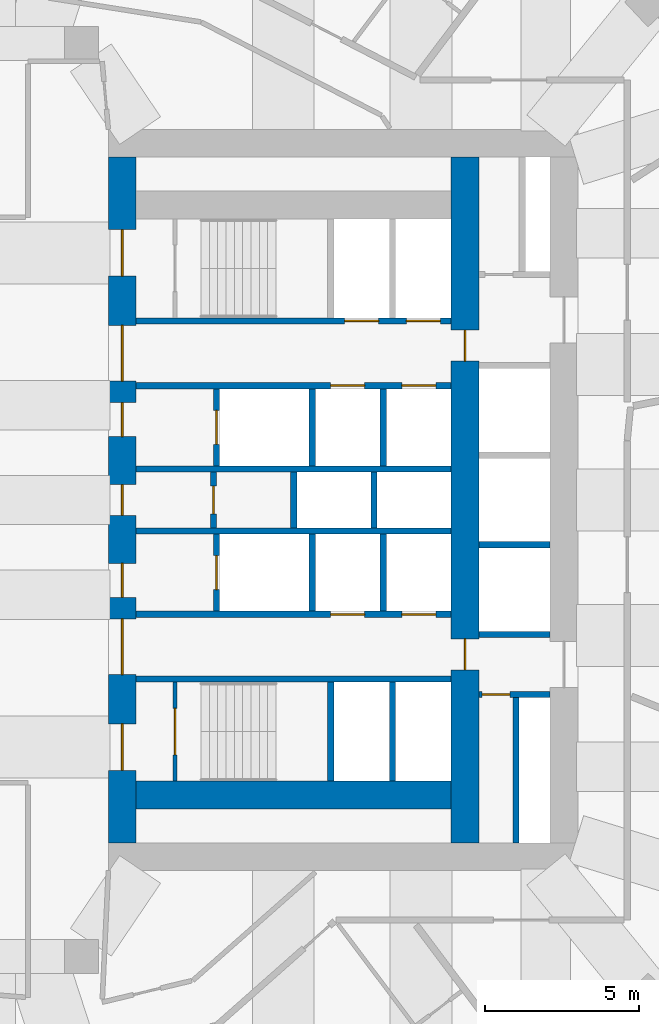
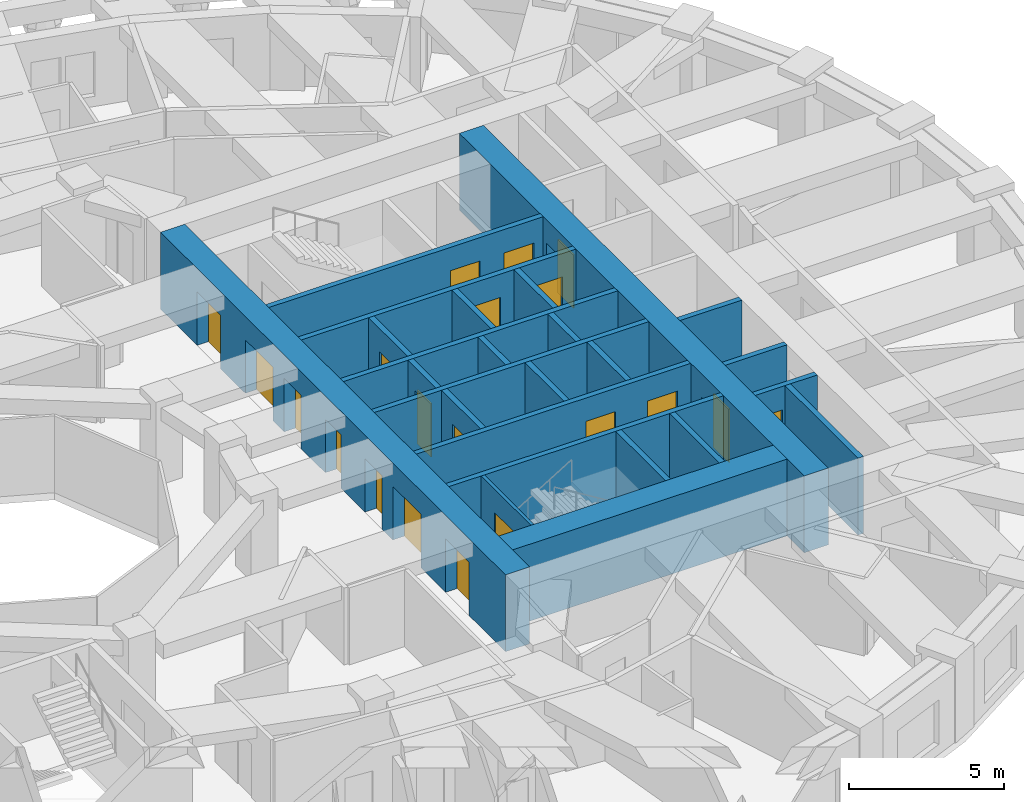
# One storey, part 6 of 13: 25 walls, 20 doors, 20 openings.
"""IFC4 building model written with IfcOpenShell, lengths in metres."""

from ifc_helpers import new_model, si_unit, direction, frame, frame_2d, origin, place, context, subcontext, project, spatial, rectangle, extrude, material, layer, layer_set, type_object, element, fill, save


model = new_model("IFC4")

# Units and contexts
model_context = context("Model", 3, precision=1e-05, world=origin(), true_north=direction((0.0, 1.0)))
body_context = subcontext(model_context, "Body", "Model", "MODEL_VIEW")
ifc_project = project(units=[si_unit("LENGTHUNIT", "METRE"), si_unit("AREAUNIT", "SQUARE_METRE"), si_unit("VOLUMEUNIT", "CUBIC_METRE"), si_unit("PLANEANGLEUNIT", "RADIAN"), si_unit("MASSUNIT", "GRAM", prefix="KILO")], contexts=[model_context])

# Site, building, storey
site_placement = place(None, origin())
site = spatial("IfcSite", under=ifc_project, at=site_placement, CompositionType="ELEMENT")
building_placement = place(site_placement, origin())
building = spatial("IfcBuilding", under=site, at=building_placement, Name="Taillehof Tower", CompositionType="ELEMENT")
storey_placement = place(building_placement, frame((0.0, 0.0, 61.300048828125)))
storey = spatial("IfcBuildingStorey", under=building, at=storey_placement, Name="L16", CompositionType="ELEMENT", Elevation=61.300048828125)

# Wall, opening, door
ifc_material_1 = material(Name="Calcium silicate masonry", Category="masonry")
ifc_layer_1 = layer(ifc_material_1, 0.199951171875)
ifc_layer_set_1 = layer_set([ifc_layer_1], Name="Compartment wall calcium silicate 200")
wall_type_1 = type_object("IfcWallType", Name="Compartment wall calcium silicate 200", PredefinedType="PARTITIONING", material=ifc_layer_set_1)
wall_1_placement = place(storey_placement, frame((7.39990234375, -0.89990234375, 0.0), z_axis=(0.0, 0.0, 1.0), x_axis=(0.0, 1.0, 0.0)))
wall_1 = element("IfcWall", 1, at=wall_1_placement, inside=storey, type_object=wall_type_1, Name="Compartment wall FW", PredefinedType="PARTITIONING", context=body_context, shape_type="SweptSolid", body=[
    extrude(rectangle(XDim=1.7998046875, YDim=0.199951171875, at=frame_2d((0.89990234375, 0.0))), origin(), (0.0, 0.0, 1.0), 3.02001953125),
])
opening_1_placement = place(wall_1_placement, frame((0.449951171875, 0.0, 0.0)))
opening_1 = element("IfcOpeningElement", 2, at=opening_1_placement, cuts=wall_1, Name="Opening D1614", PredefinedType="OPENING", context=body_context, shape_type="SweptSolid", body=[
    extrude(rectangle(XDim=0.89990234375, YDim=2.10009765625, at=frame_2d((0.449951171875, 1.050048828125))), frame((0.0, 0.10986328125, 0.0), z_axis=(0.0, -1.0, 0.0), x_axis=(1.0, 0.0, 0.0)), (0.0, 0.0, 1.0), 0.219970703125),
])
ifc_material_2 = material(Name="Steel-faced fire door", Category="steel")
door_type_1 = type_object("IfcDoorType", Name="Riser and service room door 900x2100", OperationType="SINGLE_SWING_LEFT", PredefinedType="DOOR", material=ifc_material_2)
door_1_placement = place(opening_1_placement, origin())
door_1 = element("IfcDoor", 3, at=door_1_placement, inside=storey, type_object=door_type_1, Name="Door Electrical Room", OperationType="SINGLE_SWING_RIGHT", OverallHeight=2.10009765625, OverallWidth=0.89990234375, PredefinedType="DOOR", context=body_context, shape_type="SweptSolid", body=[
    extrude(rectangle(XDim=0.89990234375, YDim=2.10009765625, at=frame_2d((0.449951171875, 1.050048828125))), frame((0.0, 0.02490234375, 0.0), z_axis=(0.0, -1.0, 0.0), x_axis=(1.0, 0.0, 0.0)), (0.0, 0.0, 1.0), 0.050048828125),
])
fill(opening_1, door_1)

# Walls
for number, where, z_axis, x_axis, name in (
    (4, (10.0, -0.89990234375, 0.0), (0.0, 0.0, 1.0), (0.0, 1.0, 0.0), "Compartment wall FW"),
    (5, (12.60009765625, -0.89990234375, 0.0), (0.0, 0.0, 1.0), (0.0, 1.0, 0.0), "Compartment wall FW"),
):
    element("IfcWall", number, at=place(storey_placement, frame(where, z_axis=z_axis, x_axis=x_axis)), inside=storey, type_object=wall_type_1, Name=name, PredefinedType="PARTITIONING", context=body_context, shape_type="SweptSolid", body=[
        extrude(rectangle(XDim=1.7998046875, YDim=0.199951171875, at=frame_2d((0.89990234375, 0.0))), origin(), (0.0, 0.0, 1.0), 3.02001953125),
    ])

# Wall, opening, door
wall_2_placement = place(storey_placement, frame((16.0, -6.300048828125, 0.0), z_axis=(0.0, 0.0, 1.0), x_axis=(1.0, 0.0, 0.0)))
wall_2 = element("IfcWall", 6, at=wall_2_placement, inside=storey, type_object=wall_type_1, Name="Compartment wall FW", PredefinedType="PARTITIONING", context=body_context, shape_type="SweptSolid", body=[
    extrude(rectangle(XDim=2.300048828125, YDim=0.199951171875, at=frame_2d((1.14990234375, 0.0))), origin(), (0.0, 0.0, 1.0), 3.02001953125),
])
opening_2_placement = place(wall_2_placement, frame((0.10009765625, 0.0, 0.0)))
opening_2 = element("IfcOpeningElement", 7, at=opening_2_placement, cuts=wall_2, Name="Opening D1618", PredefinedType="OPENING", context=body_context, shape_type="SweptSolid", body=[
    extrude(rectangle(XDim=0.89990234375, YDim=2.10009765625, at=frame_2d((0.449951171875, 1.050048828125))), frame((0.0, 0.10986328125, 0.0), z_axis=(0.0, -1.0, 0.0), x_axis=(1.0, 0.0, 0.0)), (0.0, 0.0, 1.0), 0.219970703125),
])
door_2_placement = place(opening_2_placement, origin())
door_2 = element("IfcDoor", 8, at=door_2_placement, inside=storey, type_object=door_type_1, Name="Door Electrical Room", OperationType="SINGLE_SWING_LEFT", OverallHeight=2.10009765625, OverallWidth=0.89990234375, PredefinedType="DOOR", context=body_context, shape_type="SweptSolid", body=[
    extrude(rectangle(XDim=0.89990234375, YDim=2.10009765625, at=frame_2d((0.449951171875, 1.050048828125))), frame((0.0, 0.02490234375, 0.0), z_axis=(0.0, -1.0, 0.0), x_axis=(1.0, 0.0, 0.0)), (0.0, 0.0, 1.0), 0.050048828125),
])
fill(opening_2, door_2)

# Wall
wall_3_placement = place(storey_placement, frame((17.199951171875, -11.10009765625, 0.0), z_axis=(0.0, 0.0, 1.0), x_axis=(0.0, 1.0, 0.0)))
element("IfcWall", 9, at=wall_3_placement, inside=storey, type_object=wall_type_1, Name="Compartment wall FW", PredefinedType="PARTITIONING", context=body_context, shape_type="SweptSolid", body=[
    extrude(rectangle(XDim=4.7001953125, YDim=0.199951171875, at=frame_2d((2.35009765625, 0.0))), origin(), (0.0, 0.0, 1.0), 3.02001953125),
])

# Wall, openings, doors
ifc_material_3 = material(Name="Concrete C80/95", Category="concrete")
ifc_layer_2 = layer(ifc_material_3, 0.89990234375)
ifc_layer_set_2 = layer_set([ifc_layer_2], Name="Core wall C80/95 900")
wall_type_2 = type_object("IfcWallType", Name="Core wall C80/95 900", PredefinedType="SHEAR", material=ifc_layer_set_2)
wall_4_placement = place(storey_placement, frame((4.449951171875, -11.10009765625, 0.0), z_axis=(0.0, 0.0, 1.0), x_axis=(0.0, 1.0, 0.0)))
wall_4 = element("IfcWall", 10, at=wall_4_placement, inside=storey, type_object=wall_type_2, Name="Core wall CW01", PredefinedType="SHEAR", context=body_context, shape_type="SweptSolid", body=[
    extrude(rectangle(XDim=22.2001953125, YDim=0.89990234375, at=frame_2d((11.10009765625, 0.0))), origin(), (0.0, 0.0, 1.0), 3.02001953125),
])
opening_3_placement = place(wall_4_placement, frame((2.35009765625, 0.0, 0.0)))
opening_3 = element("IfcOpeningElement", 11, at=opening_3_placement, cuts=wall_4, Name="Opening D1601", PredefinedType="OPENING", context=body_context, shape_type="SweptSolid", body=[
    extrude(rectangle(XDim=1.5, YDim=2.10009765625, at=frame_2d((0.75, 1.050048828125))), frame((0.0, 0.4599609375, 0.0), z_axis=(0.0, -1.0, 0.0), x_axis=(1.0, 0.0, 0.0)), (0.0, 0.0, 1.0), 0.919921875),
])
opening_4_placement = place(wall_4_placement, frame((5.449951171875, 0.0, 0.0)))
opening_4 = element("IfcOpeningElement", 12, at=opening_4_placement, cuts=wall_4, Name="Opening D1602", PredefinedType="OPENING", context=body_context, shape_type="SweptSolid", body=[
    extrude(rectangle(XDim=1.800048828125, YDim=2.10009765625, at=frame_2d((0.89990234375, 1.050048828125))), frame((0.0, 0.4599609375, 0.0), z_axis=(0.0, -1.0, 0.0), x_axis=(1.0, 0.0, 0.0)), (0.0, 0.0, 1.0), 0.919921875),
])
opening_5_placement = place(wall_4_placement, frame((7.949951171875, 0.0, 0.0)))
opening_5 = element("IfcOpeningElement", 13, at=opening_5_placement, cuts=wall_4, Name="Opening D1603", PredefinedType="OPENING", context=body_context, shape_type="SweptSolid", body=[
    extrude(rectangle(XDim=1.10009765625, YDim=2.10009765625, at=frame_2d((0.550048828125, 1.050048828125))), frame((0.0, 0.4599609375, 0.0), z_axis=(0.0, -1.0, 0.0), x_axis=(1.0, 0.0, 0.0)), (0.0, 0.0, 1.0), 0.919921875),
])
opening_6_placement = place(wall_4_placement, frame((10.60009765625, 0.0, 0.0)))
opening_6 = element("IfcOpeningElement", 14, at=opening_6_placement, cuts=wall_4, Name="Opening D1604", PredefinedType="OPENING", context=body_context, shape_type="SweptSolid", body=[
    extrude(rectangle(XDim=1.0, YDim=2.10009765625, at=frame_2d((0.5, 1.050048828125))), frame((0.0, 0.4599609375, 0.0), z_axis=(0.0, -1.0, 0.0), x_axis=(1.0, 0.0, 0.0)), (0.0, 0.0, 1.0), 0.919921875),
])
opening_7_placement = place(wall_4_placement, frame((13.14990234375, 0.0, 0.0)))
opening_7 = element("IfcOpeningElement", 15, at=opening_7_placement, cuts=wall_4, Name="Opening D1605", PredefinedType="OPENING", context=body_context, shape_type="SweptSolid", body=[
    extrude(rectangle(XDim=1.10009765625, YDim=2.10009765625, at=frame_2d((0.550048828125, 1.050048828125))), frame((0.0, 0.4599609375, 0.0), z_axis=(0.0, -1.0, 0.0), x_axis=(1.0, 0.0, 0.0)), (0.0, 0.0, 1.0), 0.919921875),
])
opening_8_placement = place(wall_4_placement, frame((14.949951171875, 0.0, 0.0)))
opening_8 = element("IfcOpeningElement", 16, at=opening_8_placement, cuts=wall_4, Name="Opening D1606", PredefinedType="OPENING", context=body_context, shape_type="SweptSolid", body=[
    extrude(rectangle(XDim=1.800048828125, YDim=2.10009765625, at=frame_2d((0.89990234375, 1.050048828125))), frame((0.0, 0.4599609375, 0.0), z_axis=(0.0, -1.0, 0.0), x_axis=(1.0, 0.0, 0.0)), (0.0, 0.0, 1.0), 0.919921875),
])
opening_9_placement = place(wall_4_placement, frame((18.35009765625, 0.0, 0.0)))
opening_9 = element("IfcOpeningElement", 17, at=opening_9_placement, cuts=wall_4, Name="Opening D1607", PredefinedType="OPENING", context=body_context, shape_type="SweptSolid", body=[
    extrude(rectangle(XDim=1.5, YDim=2.10009765625, at=frame_2d((0.75, 1.050048828125))), frame((0.0, 0.4599609375, 0.0), z_axis=(0.0, -1.0, 0.0), x_axis=(1.0, 0.0, 0.0)), (0.0, 0.0, 1.0), 0.919921875),
])
ifc_material_4 = material(Name="Steel-faced fire door", Category="steel")
door_type_2 = type_object("IfcDoorType", Name="Firefighting lobby door 1100x2100", OperationType="SINGLE_SWING_RIGHT", PredefinedType="DOOR", material=ifc_material_4)
door_3_placement = place(opening_5_placement, origin())
door_3 = element("IfcDoor", 18, at=door_3_placement, inside=storey, type_object=door_type_2, Name="Firefighting lobby door FFL-S", OperationType="SINGLE_SWING_RIGHT", OverallHeight=2.10009765625, OverallWidth=1.10009765625, PredefinedType="DOOR", context=body_context, shape_type="SweptSolid", body=[
    extrude(rectangle(XDim=1.10009765625, YDim=2.10009765625, at=frame_2d((0.550048828125, 1.050048828125))), frame((0.0, 0.02490234375, 0.0), z_axis=(0.0, -1.0, 0.0), x_axis=(1.0, 0.0, 0.0)), (0.0, 0.0, 1.0), 0.050048828125),
])
fill(opening_5, door_3)
door_4_placement = place(opening_7_placement, origin())
door_4 = element("IfcDoor", 19, at=door_4_placement, inside=storey, type_object=door_type_2, Name="Firefighting lobby door FFL-N", OperationType="SINGLE_SWING_LEFT", OverallHeight=2.10009765625, OverallWidth=1.10009765625, PredefinedType="DOOR", context=body_context, shape_type="SweptSolid", body=[
    extrude(rectangle(XDim=1.10009765625, YDim=2.10009765625, at=frame_2d((0.550048828125, 1.050048828125))), frame((0.0, 0.02490234375, 0.0), z_axis=(0.0, -1.0, 0.0), x_axis=(1.0, 0.0, 0.0)), (0.0, 0.0, 1.0), 0.050048828125),
])
fill(opening_7, door_4)
ifc_material_5 = material(Name="Steel-faced fire door", Category="steel")
door_type_3 = type_object("IfcDoorType", Name="Lift lobby door 1800x2100", OperationType="DOUBLE_DOOR_SINGLE_SWING", PredefinedType="DOOR", material=ifc_material_5)
door_5_placement = place(opening_4_placement, origin())
door_5 = element("IfcDoor", 20, at=door_5_placement, inside=storey, type_object=door_type_3, Name="Lift lobby door LL-S", OperationType="DOUBLE_DOOR_SINGLE_SWING", OverallHeight=2.10009765625, OverallWidth=1.800048828125, PredefinedType="DOOR", context=body_context, shape_type="SweptSolid", body=[
    extrude(rectangle(XDim=1.800048828125, YDim=2.10009765625, at=frame_2d((0.89990234375, 1.050048828125))), frame((0.0, 0.02490234375, 0.0), z_axis=(0.0, -1.0, 0.0), x_axis=(1.0, 0.0, 0.0)), (0.0, 0.0, 1.0), 0.050048828125),
])
fill(opening_4, door_5)
door_6_placement = place(opening_8_placement, origin())
door_6 = element("IfcDoor", 21, at=door_6_placement, inside=storey, type_object=door_type_3, Name="Lift lobby door LL-N", OperationType="DOUBLE_DOOR_SINGLE_SWING", OverallHeight=2.10009765625, OverallWidth=1.800048828125, PredefinedType="DOOR", context=body_context, shape_type="SweptSolid", body=[
    extrude(rectangle(XDim=1.800048828125, YDim=2.10009765625, at=frame_2d((0.89990234375, 1.050048828125))), frame((0.0, 0.02490234375, 0.0), z_axis=(0.0, -1.0, 0.0), x_axis=(1.0, 0.0, 0.0)), (0.0, 0.0, 1.0), 0.050048828125),
])
fill(opening_8, door_6)
ifc_material_6 = material(Name="Steel-faced fire door", Category="steel")
door_type_4 = type_object("IfcDoorType", Name="Service door 1000x2100", OperationType="SINGLE_SWING_RIGHT", PredefinedType="DOOR", material=ifc_material_6)
door_7_placement = place(opening_6_placement, origin())
door_7 = element("IfcDoor", 22, at=door_7_placement, inside=storey, type_object=door_type_4, Name="Service door SV", OperationType="SINGLE_SWING_LEFT", OverallHeight=2.10009765625, OverallWidth=1.0, PredefinedType="DOOR", context=body_context, shape_type="SweptSolid", body=[
    extrude(rectangle(XDim=1.0, YDim=2.10009765625, at=frame_2d((0.5, 1.050048828125))), frame((0.0, 0.02490234375, 0.0), z_axis=(0.0, -1.0, 0.0), x_axis=(1.0, 0.0, 0.0)), (0.0, 0.0, 1.0), 0.050048828125),
])
fill(opening_6, door_7)
ifc_material_7 = material(Name="Steel-faced fire door", Category="steel")
door_type_5 = type_object("IfcDoorType", Name="Stair door 1500x2100", OperationType="DOUBLE_DOOR_SINGLE_SWING", PredefinedType="DOOR", material=ifc_material_7)
door_8_placement = place(opening_3_placement, origin())
door_8 = element("IfcDoor", 23, at=door_8_placement, inside=storey, type_object=door_type_5, Name="Stair door S2", OperationType="DOUBLE_DOOR_SINGLE_SWING", OverallHeight=2.10009765625, OverallWidth=1.5, PredefinedType="DOOR", context=body_context, shape_type="SweptSolid", body=[
    extrude(rectangle(XDim=1.5, YDim=2.10009765625, at=frame_2d((0.75, 1.050048828125))), frame((0.0, 0.02490234375, 0.0), z_axis=(0.0, -1.0, 0.0), x_axis=(1.0, 0.0, 0.0)), (0.0, 0.0, 1.0), 0.050048828125),
])
fill(opening_3, door_8)
door_9_placement = place(opening_9_placement, origin())
door_9 = element("IfcDoor", 24, at=door_9_placement, inside=storey, type_object=door_type_5, Name="Stair door S1", OperationType="DOUBLE_DOOR_SINGLE_SWING", OverallHeight=2.10009765625, OverallWidth=1.5, PredefinedType="DOOR", context=body_context, shape_type="SweptSolid", body=[
    extrude(rectangle(XDim=1.5, YDim=2.10009765625, at=frame_2d((0.75, 1.050048828125))), frame((0.0, 0.02490234375, 0.0), z_axis=(0.0, -1.0, 0.0), x_axis=(1.0, 0.0, 0.0)), (0.0, 0.0, 1.0), 0.050048828125),
])
fill(opening_9, door_9)

wall_5_placement = place(storey_placement, frame((15.550048828125, -11.10009765625, 0.0), z_axis=(0.0, 0.0, 1.0), x_axis=(0.0, 1.0, 0.0)))
wall_5 = element("IfcWall", 25, at=wall_5_placement, inside=storey, type_object=wall_type_2, Name="Core wall CW05", PredefinedType="SHEAR", context=body_context, shape_type="SweptSolid", body=[
    extrude(rectangle(XDim=22.2001953125, YDim=0.89990234375, at=frame_2d((11.10009765625, 0.0))), origin(), (0.0, 0.0, 1.0), 3.02001953125),
])
opening_10_placement = place(wall_5_placement, frame((15.60009765625, 0.0, 0.0)))
opening_10 = element("IfcOpeningElement", 26, at=opening_10_placement, cuts=wall_5, Name="Opening D1615", PredefinedType="OPENING", context=body_context, shape_type="SweptSolid", body=[
    extrude(rectangle(XDim=1.0, YDim=2.10009765625, at=frame_2d((0.5, 1.050048828125))), frame((0.0, 0.4599609375, 0.0), z_axis=(0.0, -1.0, 0.0), x_axis=(1.0, 0.0, 0.0)), (0.0, 0.0, 1.0), 0.919921875),
])
opening_11_placement = place(wall_5_placement, frame((5.60009765625, 0.0, 0.0)))
opening_11 = element("IfcOpeningElement", 27, at=opening_11_placement, cuts=wall_5, Name="Opening D1617", PredefinedType="OPENING", context=body_context, shape_type="SweptSolid", body=[
    extrude(rectangle(XDim=1.0, YDim=2.10009765625, at=frame_2d((0.5, 1.050048828125))), frame((0.0, 0.4599609375, 0.0), z_axis=(0.0, -1.0, 0.0), x_axis=(1.0, 0.0, 0.0)), (0.0, 0.0, 1.0), 0.919921875),
])
door_10_placement = place(opening_10_placement, origin())
door_10 = element("IfcDoor", 28, at=door_10_placement, inside=storey, type_object=door_type_4, Name="Service door strip", OperationType="SINGLE_SWING_RIGHT", OverallHeight=2.10009765625, OverallWidth=1.0, PredefinedType="DOOR", context=body_context, shape_type="SweptSolid", body=[
    extrude(rectangle(XDim=1.0, YDim=2.10009765625, at=frame_2d((0.5, 1.050048828125))), frame((0.0, 0.02490234375, 0.0), z_axis=(0.0, -1.0, 0.0), x_axis=(1.0, 0.0, 0.0)), (0.0, 0.0, 1.0), 0.050048828125),
])
fill(opening_10, door_10)
door_11_placement = place(opening_11_placement, origin())
door_11 = element("IfcDoor", 29, at=door_11_placement, inside=storey, type_object=door_type_4, Name="Service door strip", OperationType="SINGLE_SWING_LEFT", OverallHeight=2.10009765625, OverallWidth=1.0, PredefinedType="DOOR", context=body_context, shape_type="SweptSolid", body=[
    extrude(rectangle(XDim=1.0, YDim=2.10009765625, at=frame_2d((0.5, 1.050048828125))), frame((0.0, 0.02490234375, 0.0), z_axis=(0.0, -1.0, 0.0), x_axis=(1.0, 0.0, 0.0)), (0.0, 0.0, 1.0), 0.050048828125),
])
fill(opening_11, door_11)

# Wall
wall_6_placement = place(storey_placement, frame((4.89990234375, -9.550048828125, 0.0), z_axis=(0.0, 0.0, 1.0), x_axis=(1.0, 0.0, 0.0)))
element("IfcWall", 30, at=wall_6_placement, inside=storey, type_object=wall_type_2, Name="Core wall CW07", PredefinedType="SHEAR", context=body_context, shape_type="SweptSolid", body=[
    extrude(rectangle(XDim=10.2001953125, YDim=0.89990234375, at=frame_2d((5.10009765625, 0.0))), origin(), (0.0, 0.0, 1.0), 3.02001953125),
])

# Wall, openings, doors
ifc_material_8 = material(Name="Concrete C50/60", Category="concrete")
ifc_layer_3 = layer(ifc_material_8, 0.199951171875)
ifc_layer_set_3 = layer_set([ifc_layer_3], Name="Shaft wall C50/60 200")
wall_type_3 = type_object("IfcWallType", Name="Shaft wall C50/60 200", PredefinedType="SHEAR", material=ifc_layer_set_3)
wall_7_placement = place(storey_placement, frame((4.89990234375, 5.800048828125, 0.0), z_axis=(0.0, 0.0, 1.0), x_axis=(1.0, 0.0, 0.0)))
wall_7 = element("IfcWall", 31, at=wall_7_placement, inside=storey, type_object=wall_type_3, Name="Shaft wall SW", PredefinedType="SHEAR", context=body_context, shape_type="SweptSolid", body=[
    extrude(rectangle(XDim=10.2001953125, YDim=0.199951171875, at=frame_2d((5.10009765625, 0.0))), origin(), (0.0, 0.0, 1.0), 3.02001953125),
])
opening_12_placement = place(wall_7_placement, frame((6.75, 0.0, 0.0)))
opening_12 = element("IfcOpeningElement", 32, at=opening_12_placement, cuts=wall_7, Name="Opening LD1", PredefinedType="OPENING", context=body_context, shape_type="SweptSolid", body=[
    extrude(rectangle(XDim=1.10009765625, YDim=2.10009765625, at=frame_2d((0.550048828125, 1.050048828125))), frame((0.0, 0.10986328125, 0.0), z_axis=(0.0, -1.0, 0.0), x_axis=(1.0, 0.0, 0.0)), (0.0, 0.0, 1.0), 0.219970703125),
])
opening_13_placement = place(wall_7_placement, frame((8.75, 0.0, 0.0)))
opening_13 = element("IfcOpeningElement", 33, at=opening_13_placement, cuts=wall_7, Name="Opening LD1", PredefinedType="OPENING", context=body_context, shape_type="SweptSolid", body=[
    extrude(rectangle(XDim=1.10009765625, YDim=2.10009765625, at=frame_2d((0.550048828125, 1.050048828125))), frame((0.0, 0.10986328125, 0.0), z_axis=(0.0, -1.0, 0.0), x_axis=(1.0, 0.0, 0.0)), (0.0, 0.0, 1.0), 0.219970703125),
])
ifc_material_9 = material(Name="Stainless steel", Category="steel")
door_type_6 = type_object("IfcDoorType", Name="Lift landing door LD1 1100x2100", OperationType="DOUBLE_DOOR_SLIDING", PredefinedType="DOOR", material=ifc_material_9)
door_12_placement = place(opening_12_placement, origin())
door_12 = element("IfcDoor", 34, at=door_12_placement, inside=storey, type_object=door_type_6, Name="Landing door LR1", OperationType="DOUBLE_DOOR_SLIDING", OverallHeight=2.10009765625, OverallWidth=1.10009765625, PredefinedType="DOOR", context=body_context, shape_type="SweptSolid", body=[
    extrude(rectangle(XDim=1.10009765625, YDim=2.10009765625, at=frame_2d((0.550048828125, 1.050048828125))), frame((0.0, 0.02490234375, 0.0), z_axis=(0.0, -1.0, 0.0), x_axis=(1.0, 0.0, 0.0)), (0.0, 0.0, 1.0), 0.050048828125),
])
fill(opening_12, door_12)
door_13_placement = place(opening_13_placement, origin())
door_13 = element("IfcDoor", 35, at=door_13_placement, inside=storey, type_object=door_type_6, Name="Landing door LR2", OperationType="DOUBLE_DOOR_SLIDING", OverallHeight=2.10009765625, OverallWidth=1.10009765625, PredefinedType="DOOR", context=body_context, shape_type="SweptSolid", body=[
    extrude(rectangle(XDim=1.10009765625, YDim=2.10009765625, at=frame_2d((0.550048828125, 1.050048828125))), frame((0.0, 0.02490234375, 0.0), z_axis=(0.0, -1.0, 0.0), x_axis=(1.0, 0.0, 0.0)), (0.0, 0.0, 1.0), 0.050048828125),
])
fill(opening_13, door_13)

wall_8_placement = place(storey_placement, frame((4.89990234375, 3.699951171875, 0.0), z_axis=(0.0, 0.0, 1.0), x_axis=(1.0, 0.0, 0.0)))
wall_8 = element("IfcWall", 36, at=wall_8_placement, inside=storey, type_object=wall_type_3, Name="Shaft wall SW", PredefinedType="SHEAR", context=body_context, shape_type="SweptSolid", body=[
    extrude(rectangle(XDim=10.2001953125, YDim=0.199951171875, at=frame_2d((5.10009765625, 0.0))), origin(), (0.0, 0.0, 1.0), 3.02001953125),
])
opening_14_placement = place(wall_8_placement, frame((6.300048828125, 0.0, 0.0)))
opening_14 = element("IfcOpeningElement", 37, at=opening_14_placement, cuts=wall_8, Name="Opening LD1", PredefinedType="OPENING", context=body_context, shape_type="SweptSolid", body=[
    extrude(rectangle(XDim=1.10009765625, YDim=2.10009765625, at=frame_2d((0.550048828125, 1.050048828125))), frame((0.0, 0.10986328125, 0.0), z_axis=(0.0, -1.0, 0.0), x_axis=(1.0, 0.0, 0.0)), (0.0, 0.0, 1.0), 0.219970703125),
])
opening_15_placement = place(wall_8_placement, frame((8.60009765625, 0.0, 0.0)))
opening_15 = element("IfcOpeningElement", 38, at=opening_15_placement, cuts=wall_8, Name="Opening LD1", PredefinedType="OPENING", context=body_context, shape_type="SweptSolid", body=[
    extrude(rectangle(XDim=1.10009765625, YDim=2.10009765625, at=frame_2d((0.550048828125, 1.050048828125))), frame((0.0, 0.10986328125, 0.0), z_axis=(0.0, -1.0, 0.0), x_axis=(1.0, 0.0, 0.0)), (0.0, 0.0, 1.0), 0.219970703125),
])
door_14_placement = place(opening_14_placement, origin())
door_14 = element("IfcDoor", 39, at=door_14_placement, inside=storey, type_object=door_type_6, Name="Landing door LR3", OperationType="DOUBLE_DOOR_SLIDING", OverallHeight=2.10009765625, OverallWidth=1.10009765625, PredefinedType="DOOR", context=body_context, shape_type="SweptSolid", body=[
    extrude(rectangle(XDim=1.10009765625, YDim=2.10009765625, at=frame_2d((0.550048828125, 1.050048828125))), frame((0.0, 0.02490234375, 0.0), z_axis=(0.0, -1.0, 0.0), x_axis=(1.0, 0.0, 0.0)), (0.0, 0.0, 1.0), 0.050048828125),
])
fill(opening_14, door_14)
door_15_placement = place(opening_15_placement, origin())
door_15 = element("IfcDoor", 40, at=door_15_placement, inside=storey, type_object=door_type_6, Name="Landing door LR4", OperationType="DOUBLE_DOOR_SLIDING", OverallHeight=2.10009765625, OverallWidth=1.10009765625, PredefinedType="DOOR", context=body_context, shape_type="SweptSolid", body=[
    extrude(rectangle(XDim=1.10009765625, YDim=2.10009765625, at=frame_2d((0.550048828125, 1.050048828125))), frame((0.0, 0.02490234375, 0.0), z_axis=(0.0, -1.0, 0.0), x_axis=(1.0, 0.0, 0.0)), (0.0, 0.0, 1.0), 0.050048828125),
])
fill(opening_15, door_15)

# Walls
for number, where, z_axis, x_axis, name in (
    (41, (4.89990234375, 1.0, 0.0), (0.0, 0.0, 1.0), (1.0, 0.0, 0.0), "Shaft wall SW"),
    (42, (4.89990234375, -1.0, 0.0), (0.0, 0.0, 1.0), (1.0, 0.0, 0.0), "Shaft wall SW"),
):
    element("IfcWall", number, at=place(storey_placement, frame(where, z_axis=z_axis, x_axis=x_axis)), inside=storey, type_object=wall_type_3, Name=name, PredefinedType="SHEAR", context=body_context, shape_type="SweptSolid", body=[
        extrude(rectangle(XDim=10.2001953125, YDim=0.199951171875, at=frame_2d((5.10009765625, 0.0))), origin(), (0.0, 0.0, 1.0), 3.02001953125),
    ])

# Wall, openings, doors
wall_9_placement = place(storey_placement, frame((4.89990234375, -3.699951171875, 0.0), z_axis=(0.0, 0.0, 1.0), x_axis=(1.0, 0.0, 0.0)))
wall_9 = element("IfcWall", 43, at=wall_9_placement, inside=storey, type_object=wall_type_3, Name="Shaft wall SW", PredefinedType="SHEAR", context=body_context, shape_type="SweptSolid", body=[
    extrude(rectangle(XDim=10.2001953125, YDim=0.199951171875, at=frame_2d((5.10009765625, 0.0))), origin(), (0.0, 0.0, 1.0), 3.02001953125),
])
opening_16_placement = place(wall_9_placement, frame((6.300048828125, 0.0, 0.0)))
opening_16 = element("IfcOpeningElement", 44, at=opening_16_placement, cuts=wall_9, Name="Opening LD1", PredefinedType="OPENING", context=body_context, shape_type="SweptSolid", body=[
    extrude(rectangle(XDim=1.10009765625, YDim=2.10009765625, at=frame_2d((0.550048828125, 1.050048828125))), frame((0.0, 0.10986328125, 0.0), z_axis=(0.0, -1.0, 0.0), x_axis=(1.0, 0.0, 0.0)), (0.0, 0.0, 1.0), 0.219970703125),
])
opening_17_placement = place(wall_9_placement, frame((8.60009765625, 0.0, 0.0)))
opening_17 = element("IfcOpeningElement", 45, at=opening_17_placement, cuts=wall_9, Name="Opening LD1", PredefinedType="OPENING", context=body_context, shape_type="SweptSolid", body=[
    extrude(rectangle(XDim=1.10009765625, YDim=2.10009765625, at=frame_2d((0.550048828125, 1.050048828125))), frame((0.0, 0.10986328125, 0.0), z_axis=(0.0, -1.0, 0.0), x_axis=(1.0, 0.0, 0.0)), (0.0, 0.0, 1.0), 0.219970703125),
])
door_16_placement = place(opening_16_placement, origin())
door_16 = element("IfcDoor", 46, at=door_16_placement, inside=storey, type_object=door_type_6, Name="Landing door LR5", OperationType="DOUBLE_DOOR_SLIDING", OverallHeight=2.10009765625, OverallWidth=1.10009765625, PredefinedType="DOOR", context=body_context, shape_type="SweptSolid", body=[
    extrude(rectangle(XDim=1.10009765625, YDim=2.10009765625, at=frame_2d((0.550048828125, 1.050048828125))), frame((0.0, 0.02490234375, 0.0), z_axis=(0.0, -1.0, 0.0), x_axis=(1.0, 0.0, 0.0)), (0.0, 0.0, 1.0), 0.050048828125),
])
fill(opening_16, door_16)
door_17_placement = place(opening_17_placement, origin())
door_17 = element("IfcDoor", 47, at=door_17_placement, inside=storey, type_object=door_type_6, Name="Landing door LR6", OperationType="DOUBLE_DOOR_SLIDING", OverallHeight=2.10009765625, OverallWidth=1.10009765625, PredefinedType="DOOR", context=body_context, shape_type="SweptSolid", body=[
    extrude(rectangle(XDim=1.10009765625, YDim=2.10009765625, at=frame_2d((0.550048828125, 1.050048828125))), frame((0.0, 0.02490234375, 0.0), z_axis=(0.0, -1.0, 0.0), x_axis=(1.0, 0.0, 0.0)), (0.0, 0.0, 1.0), 0.050048828125),
])
fill(opening_17, door_17)

# Walls
wall_10_placement = place(storey_placement, frame((4.89990234375, -5.800048828125, 0.0), z_axis=(0.0, 0.0, 1.0), x_axis=(1.0, 0.0, 0.0)))
element("IfcWall", 48, at=wall_10_placement, inside=storey, type_object=wall_type_3, Name="Shaft wall SW", PredefinedType="SHEAR", context=body_context, shape_type="SweptSolid", body=[
    extrude(rectangle(XDim=10.2001953125, YDim=0.199951171875, at=frame_2d((5.10009765625, 0.0))), origin(), (0.0, 0.0, 1.0), 3.02001953125),
])
for number, where, z_axis, x_axis, name in (
    (49, (11.199951171875, -9.10009765625, 0.0), (0.0, 0.0, 1.0), (0.0, 1.0, 0.0), "Shaft wall SW"),
    (50, (13.199951171875, -9.10009765625, 0.0), (0.0, 0.0, 1.0), (0.0, 1.0, 0.0), "Shaft wall SW"),
):
    element("IfcWall", number, at=place(storey_placement, frame(where, z_axis=z_axis, x_axis=x_axis)), inside=storey, type_object=wall_type_3, Name=name, PredefinedType="SHEAR", context=body_context, shape_type="SweptSolid", body=[
        extrude(rectangle(XDim=3.2001953125, YDim=0.199951171875, at=frame_2d((1.60009765625, 0.0))), origin(), (0.0, 0.0, 1.0), 3.02001953125),
    ])

# Wall, opening, door
wall_11_placement = place(storey_placement, frame((7.5, 1.10009765625, 0.0), z_axis=(0.0, 0.0, 1.0), x_axis=(0.0, 1.0, 0.0)))
wall_11 = element("IfcWall", 51, at=wall_11_placement, inside=storey, type_object=wall_type_3, Name="Shaft wall SW", PredefinedType="SHEAR", context=body_context, shape_type="SweptSolid", body=[
    extrude(rectangle(XDim=2.5, YDim=0.199951171875, at=frame_2d((1.25, 0.0))), origin(), (0.0, 0.0, 1.0), 3.02001953125),
])
opening_18_placement = place(wall_11_placement, frame((0.699951171875, 0.0, 0.0)))
opening_18 = element("IfcOpeningElement", 52, at=opening_18_placement, cuts=wall_11, Name="Opening LD1", PredefinedType="OPENING", context=body_context, shape_type="SweptSolid", body=[
    extrude(rectangle(XDim=1.10009765625, YDim=2.10009765625, at=frame_2d((0.550048828125, 1.050048828125))), frame((0.0, 0.10986328125, 0.0), z_axis=(0.0, -1.0, 0.0), x_axis=(1.0, 0.0, 0.0)), (0.0, 0.0, 1.0), 0.219970703125),
])
door_18_placement = place(opening_18_placement, origin())
door_18 = element("IfcDoor", 53, at=door_18_placement, inside=storey, type_object=door_type_6, Name="Landing door FF1", OperationType="DOUBLE_DOOR_SLIDING", OverallHeight=2.10009765625, OverallWidth=1.10009765625, PredefinedType="DOOR", context=body_context, shape_type="SweptSolid", body=[
    extrude(rectangle(XDim=1.10009765625, YDim=2.10009765625, at=frame_2d((0.550048828125, 1.050048828125))), frame((0.0, 0.02490234375, 0.0), z_axis=(0.0, -1.0, 0.0), x_axis=(1.0, 0.0, 0.0)), (0.0, 0.0, 1.0), 0.050048828125),
])
fill(opening_18, door_18)

wall_12_placement = place(storey_placement, frame((7.5, -3.60009765625, 0.0), z_axis=(0.0, 0.0, 1.0), x_axis=(0.0, 1.0, 0.0)))
wall_12 = element("IfcWall", 54, at=wall_12_placement, inside=storey, type_object=wall_type_3, Name="Shaft wall SW", PredefinedType="SHEAR", context=body_context, shape_type="SweptSolid", body=[
    extrude(rectangle(XDim=2.5, YDim=0.199951171875, at=frame_2d((1.25, 0.0))), origin(), (0.0, 0.0, 1.0), 3.02001953125),
])
opening_19_placement = place(wall_12_placement, frame((0.699951171875, 0.0, 0.0)))
opening_19 = element("IfcOpeningElement", 55, at=opening_19_placement, cuts=wall_12, Name="Opening LD1", PredefinedType="OPENING", context=body_context, shape_type="SweptSolid", body=[
    extrude(rectangle(XDim=1.10009765625, YDim=2.10009765625, at=frame_2d((0.550048828125, 1.050048828125))), frame((0.0, 0.10986328125, 0.0), z_axis=(0.0, -1.0, 0.0), x_axis=(1.0, 0.0, 0.0)), (0.0, 0.0, 1.0), 0.219970703125),
])
door_19_placement = place(opening_19_placement, origin())
door_19 = element("IfcDoor", 56, at=door_19_placement, inside=storey, type_object=door_type_6, Name="Landing door FF2", OperationType="DOUBLE_DOOR_SLIDING", OverallHeight=2.10009765625, OverallWidth=1.10009765625, PredefinedType="DOOR", context=body_context, shape_type="SweptSolid", body=[
    extrude(rectangle(XDim=1.10009765625, YDim=2.10009765625, at=frame_2d((0.550048828125, 1.050048828125))), frame((0.0, 0.02490234375, 0.0), z_axis=(0.0, -1.0, 0.0), x_axis=(1.0, 0.0, 0.0)), (0.0, 0.0, 1.0), 0.050048828125),
])
fill(opening_19, door_19)

# Walls
for number, where, z_axis, x_axis, name in (
    (57, (10.60009765625, 1.10009765625, 0.0), (0.0, 0.0, 1.0), (0.0, 1.0, 0.0), "Shaft wall SW"),
    (58, (10.60009765625, -3.60009765625, 0.0), (0.0, 0.0, 1.0), (0.0, 1.0, 0.0), "Shaft wall SW"),
    (59, (12.89990234375, 1.10009765625, 0.0), (0.0, 0.0, 1.0), (0.0, 1.0, 0.0), "Shaft wall SW"),
    (60, (12.89990234375, -3.60009765625, 0.0), (0.0, 0.0, 1.0), (0.0, 1.0, 0.0), "Shaft wall SW"),
):
    element("IfcWall", number, at=place(storey_placement, frame(where, z_axis=z_axis, x_axis=x_axis)), inside=storey, type_object=wall_type_3, Name=name, PredefinedType="SHEAR", context=body_context, shape_type="SweptSolid", body=[
        extrude(rectangle(XDim=2.5, YDim=0.199951171875, at=frame_2d((1.25, 0.0))), origin(), (0.0, 0.0, 1.0), 3.02001953125),
    ])
for number, where, z_axis, x_axis, name in (
    (61, (16.0, -4.35009765625, 0.0), (0.0, 0.0, 1.0), (1.0, 0.0, 0.0), "Shaft wall SW"),
    (62, (16.0, -1.449951171875, 0.0), (0.0, 0.0, 1.0), (1.0, 0.0, 0.0), "Shaft wall SW"),
):
    element("IfcWall", number, at=place(storey_placement, frame(where, z_axis=z_axis, x_axis=x_axis)), inside=storey, type_object=wall_type_3, Name=name, PredefinedType="SHEAR", context=body_context, shape_type="SweptSolid", body=[
        extrude(rectangle(XDim=2.300048828125, YDim=0.199951171875, at=frame_2d((1.14990234375, 0.0))), origin(), (0.0, 0.0, 1.0), 3.02001953125),
    ])

# Wall, opening, door
ifc_material_10 = material(Name="Concrete C50/60", Category="concrete")
ifc_layer_4 = layer(ifc_material_10, 0.1201171875)
ifc_layer_set_4 = layer_set([ifc_layer_4], Name="Stair lobby wall C50/60 120")
wall_type_4 = type_object("IfcWallType", Name="Stair lobby wall C50/60 120", PredefinedType="SHEAR", material=ifc_layer_set_4)
wall_13_placement = place(storey_placement, frame((6.159912109375, -9.10009765625, 0.0), z_axis=(0.0, 0.0, 1.0), x_axis=(0.0, 1.0, 0.0)))
wall_13 = element("IfcWall", 63, at=wall_13_placement, inside=storey, type_object=wall_type_4, Name="Compartment wall SW", PredefinedType="SHEAR", context=body_context, shape_type="SweptSolid", body=[
    extrude(rectangle(XDim=3.2001953125, YDim=0.1201171875, at=frame_2d((1.60009765625, 0.0))), origin(), (0.0, 0.0, 1.0), 3.02001953125),
])
opening_20_placement = place(wall_13_placement, frame((0.85009765625, 0.0, 0.0)))
opening_20 = element("IfcOpeningElement", 64, at=opening_20_placement, cuts=wall_13, Name="Opening D1611", PredefinedType="OPENING", context=body_context, shape_type="SweptSolid", body=[
    extrude(rectangle(XDim=1.5, YDim=2.10009765625, at=frame_2d((0.75, 1.050048828125))), frame((0.0, 0.070068359375, 0.0), z_axis=(0.0, -1.0, 0.0), x_axis=(1.0, 0.0, 0.0)), (0.0, 0.0, 1.0), 0.14013671875),
])
door_20_placement = place(opening_20_placement, origin())
door_20 = element("IfcDoor", 65, at=door_20_placement, inside=storey, type_object=door_type_5, Name="Stair lobby door S2", OperationType="DOUBLE_DOOR_SINGLE_SWING", OverallHeight=2.10009765625, OverallWidth=1.5, PredefinedType="DOOR", context=body_context, shape_type="SweptSolid", body=[
    extrude(rectangle(XDim=1.5, YDim=2.10009765625, at=frame_2d((0.75, 1.050048828125))), frame((0.0, 0.02490234375, 0.0), z_axis=(0.0, -1.0, 0.0), x_axis=(1.0, 0.0, 0.0)), (0.0, 0.0, 1.0), 0.050048828125),
])
fill(opening_20, door_20)

save(model, "model.ifc")
